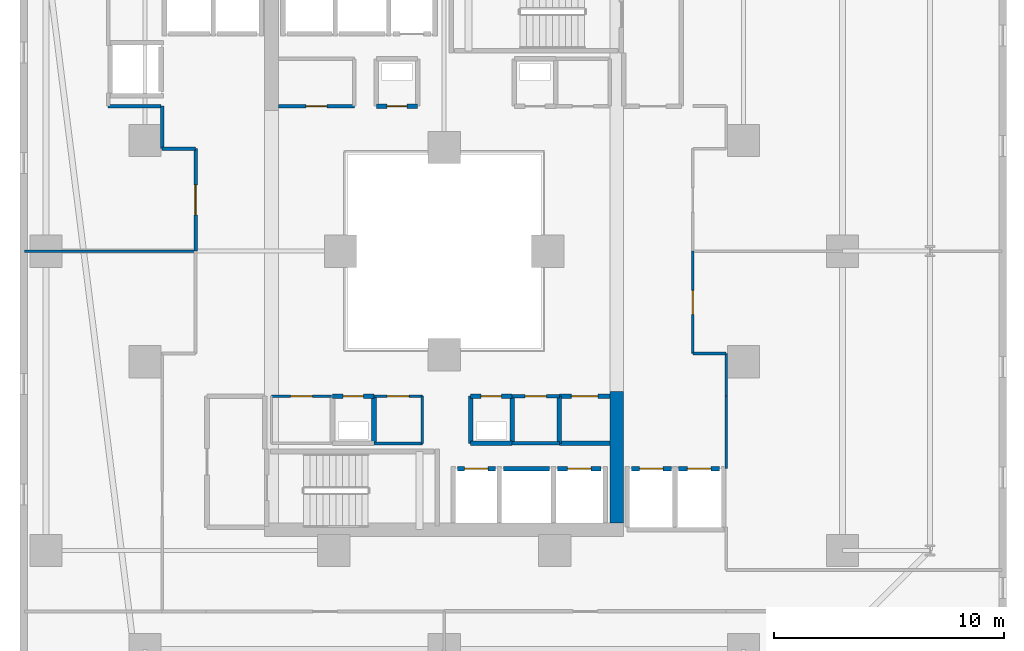
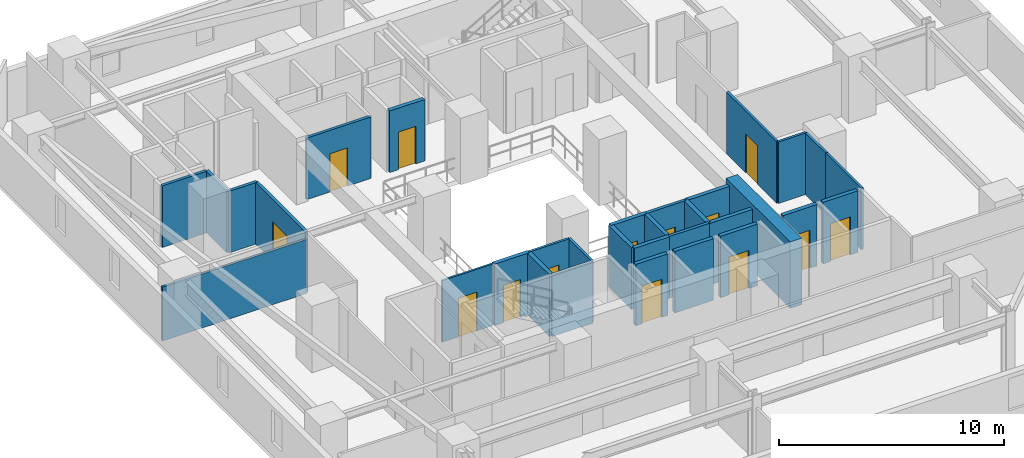
# One storey, part 21 of 34: 32 walls, 14 doors, 14 openings.
"""IFC4 building model written with IfcOpenShell, lengths in metres."""

from ifc_helpers import new_model, si_unit, direction, frame, frame_2d, origin, place, context, subcontext, project, spatial, rectangle, extrude, material, layer, layer_set, type_object, element, fill, save


model = new_model("IFC4")

# Units and contexts
model_context = context("Model", 3, precision=1e-05, world=origin(), true_north=direction((0.0, 1.0)))
body_context = subcontext(model_context, "Body", "Model", "MODEL_VIEW")
ifc_project = project(units=[si_unit("LENGTHUNIT", "METRE"), si_unit("AREAUNIT", "SQUARE_METRE"), si_unit("VOLUMEUNIT", "CUBIC_METRE"), si_unit("PLANEANGLEUNIT", "RADIAN"), si_unit("MASSUNIT", "GRAM", prefix="KILO")], contexts=[model_context])

# Site, building, storey
site_placement = place(None, origin())
site = spatial("IfcSite", under=ifc_project, at=site_placement, CompositionType="ELEMENT")
building_placement = place(site_placement, origin())
building = spatial("IfcBuilding", under=site, at=building_placement, Name="Thornwick Lancets Civic Towers", CompositionType="ELEMENT")
storey_placement = place(building_placement, frame((0.0, 0.0, 57.300048828125)))
storey = spatial("IfcBuildingStorey", under=building, at=storey_placement, Name="L14", CompositionType="ELEMENT", Elevation=57.300048828125)

# Wall, opening, door
ifc_material_1 = material(Name="Concrete blockwork C40/50", Category="masonry")
ifc_layer_1 = layer(ifc_material_1, 0.199951171875, Name="Concrete blockwork C40/50")
ifc_layer_set_1 = layer_set([ifc_layer_1], Name="Concrete blockwork C40/50")
wall_type_1 = type_object("IfcWallType", Name="WALL_COMP_200", PredefinedType="STANDARD", material=ifc_layer_set_1)
wall_1_placement = place(storey_placement, frame((26.080078125, 17.550048828125, 0.0), z_axis=(0.0, 0.0, 1.0), x_axis=(1.0, 0.0, 0.0)))
wall_1 = element("IfcWall", 1, at=wall_1_placement, inside=storey, type_object=wall_type_1, Name="L14 Hoistway Front Wall FL-A1", PredefinedType="STANDARD", context=body_context, shape_type="SweptSolid", body=[
    extrude(rectangle(XDim=1.639892578125, YDim=0.199951171875, at=frame_2d((0.81982421875, 0.0))), origin(), (0.0, 0.0, 1.0), 3.33984375),
])
opening_1_placement = place(wall_1_placement, frame((0.31005859375, 0.0, 0.0)))
opening_1 = element("IfcOpeningElement", 2, at=opening_1_placement, cuts=wall_1, Name="Opening LD-FL-A1", PredefinedType="OPENING", context=body_context, shape_type="SweptSolid", body=[
    extrude(rectangle(XDim=1.02001953125, YDim=2.06005859375, at=frame_2d((0.510009765625, 1.030029296875))), frame((0.0, 0.10986328125, 0.0), z_axis=(0.0, -1.0, 0.0), x_axis=(1.0, 0.0, 0.0)), (0.0, 0.0, 1.0), 0.219970703125),
])
ifc_material_2 = material(Name="Brushed bronze stainless steel", Category="steel")
door_type_1 = type_object("IfcDoorType", Name="DOOR_LIFT_SLIDE", OperationType="SLIDING_TO_LEFT", PredefinedType="DOOR", material=ifc_material_2)
door_1_placement = place(opening_1_placement, origin())
door_1 = element("IfcDoor", 3, at=door_1_placement, inside=storey, type_object=door_type_1, Name="L14 Sliding Lift Landing Door LD-FL-A1", OperationType="SLIDING_TO_LEFT", OverallHeight=2.06005859375, OverallWidth=1.02001953125, PredefinedType="DOOR", context=body_context, shape_type="SweptSolid", body=[
    extrude(rectangle(XDim=1.02001953125, YDim=2.06005859375, at=frame_2d((0.510009765625, 1.030029296875))), frame((0.0, 0.02490234375, 0.0), z_axis=(0.0, -1.0, 0.0), x_axis=(1.0, 0.0, 0.0)), (0.0, 0.0, 1.0), 0.050048828125),
])
fill(opening_1, door_1)

# Wall
wall_2_placement = place(storey_placement, frame((28.080078125, 17.550048828125, 0.0), z_axis=(0.0, 0.0, 1.0), x_axis=(1.0, 0.0, 0.0)))
element("IfcWall", 4, at=wall_2_placement, inside=storey, type_object=wall_type_1, Name="L14 Hoistway Front Wall PL-AH1", PredefinedType="STANDARD", context=body_context, shape_type="SweptSolid", body=[
    extrude(rectangle(XDim=1.989990234375, YDim=0.199951171875, at=frame_2d((0.9951171875, 0.0))), origin(), (0.0, 0.0, 1.0), 3.33984375),
])

# Wall, opening, door
wall_3_placement = place(storey_placement, frame((30.429931640625, 17.550048828125, 0.0), z_axis=(0.0, 0.0, 1.0), x_axis=(1.0, 0.0, 0.0)))
wall_3 = element("IfcWall", 5, at=wall_3_placement, inside=storey, type_object=wall_type_1, Name="L14 Hoistway Front Wall PL-AL1", PredefinedType="STANDARD", context=body_context, shape_type="SweptSolid", body=[
    extrude(rectangle(XDim=1.89013671875, YDim=0.199951171875, at=frame_2d((0.945068359375, 0.0))), origin(), (0.0, 0.0, 1.0), 3.33984375),
])
opening_2_placement = place(wall_3_placement, frame((0.43505859375, 0.0, 0.0)))
opening_2 = element("IfcOpeningElement", 6, at=opening_2_placement, cuts=wall_3, Name="Opening LD-PL-AL1", PredefinedType="OPENING", context=body_context, shape_type="SweptSolid", body=[
    extrude(rectangle(XDim=1.02001953125, YDim=2.06005859375, at=frame_2d((0.510009765625, 1.030029296875))), frame((0.0, 0.10986328125, 0.0), z_axis=(0.0, -1.0, 0.0), x_axis=(1.0, 0.0, 0.0)), (0.0, 0.0, 1.0), 0.219970703125),
])
door_2_placement = place(opening_2_placement, origin())
door_2 = element("IfcDoor", 7, at=door_2_placement, inside=storey, type_object=door_type_1, Name="L14 Sliding Lift Landing Door LD-PL-AL1", OperationType="SLIDING_TO_LEFT", OverallHeight=2.06005859375, OverallWidth=1.02001953125, PredefinedType="DOOR", context=body_context, shape_type="SweptSolid", body=[
    extrude(rectangle(XDim=1.02001953125, YDim=2.06005859375, at=frame_2d((0.510009765625, 1.030029296875))), frame((0.0, 0.02490234375, 0.0), z_axis=(0.0, -1.0, 0.0), x_axis=(1.0, 0.0, 0.0)), (0.0, 0.0, 1.0), 0.050048828125),
])
fill(opening_2, door_2)

wall_4_placement = place(storey_placement, frame((33.6298828125, 17.550048828125, 0.0), z_axis=(0.0, 0.0, 1.0), x_axis=(1.0, 0.0, 0.0)))
wall_4 = element("IfcWall", 8, at=wall_4_placement, inside=storey, type_object=wall_type_1, Name="L14 Hoistway Front Wall PL-AL2", PredefinedType="STANDARD", context=body_context, shape_type="SweptSolid", body=[
    extrude(rectangle(XDim=1.740234375, YDim=0.199951171875, at=frame_2d((0.8701171875, 0.0))), origin(), (0.0, 0.0, 1.0), 3.33984375),
])
opening_3_placement = place(wall_4_placement, frame((0.360107421875, 0.0, 0.0)))
opening_3 = element("IfcOpeningElement", 9, at=opening_3_placement, cuts=wall_4, Name="Opening LD-PL-AL2", PredefinedType="OPENING", context=body_context, shape_type="SweptSolid", body=[
    extrude(rectangle(XDim=1.02001953125, YDim=2.06005859375, at=frame_2d((0.510009765625, 1.030029296875))), frame((0.0, 0.10986328125, 0.0), z_axis=(0.0, -1.0, 0.0), x_axis=(1.0, 0.0, 0.0)), (0.0, 0.0, 1.0), 0.219970703125),
])
door_3_placement = place(opening_3_placement, origin())
door_3 = element("IfcDoor", 10, at=door_3_placement, inside=storey, type_object=door_type_1, Name="L14 Sliding Lift Landing Door LD-PL-AL2", OperationType="SLIDING_TO_LEFT", OverallHeight=2.06005859375, OverallWidth=1.02001953125, PredefinedType="DOOR", context=body_context, shape_type="SweptSolid", body=[
    extrude(rectangle(XDim=1.02001953125, YDim=2.06005859375, at=frame_2d((0.510009765625, 1.030029296875))), frame((0.0, 0.02490234375, 0.0), z_axis=(0.0, -1.0, 0.0), x_axis=(1.0, 0.0, 0.0)), (0.0, 0.0, 1.0), 0.050048828125),
])
fill(opening_3, door_3)

wall_5_placement = place(storey_placement, frame((35.679931640625, 17.550048828125, 0.0), z_axis=(0.0, 0.0, 1.0), x_axis=(1.0, 0.0, 0.0)))
wall_5 = element("IfcWall", 11, at=wall_5_placement, inside=storey, type_object=wall_type_1, Name="L14 Hoistway Front Wall PL-AL3", PredefinedType="STANDARD", context=body_context, shape_type="SweptSolid", body=[
    extrude(rectangle(XDim=1.7900390625, YDim=0.199951171875, at=frame_2d((0.89501953125, 0.0))), origin(), (0.0, 0.0, 1.0), 3.33984375),
])
opening_4_placement = place(wall_5_placement, frame((0.385009765625, 0.0, 0.0)))
opening_4 = element("IfcOpeningElement", 12, at=opening_4_placement, cuts=wall_5, Name="Opening LD-PL-AL3", PredefinedType="OPENING", context=body_context, shape_type="SweptSolid", body=[
    extrude(rectangle(XDim=1.02001953125, YDim=2.06005859375, at=frame_2d((0.510009765625, 1.030029296875))), frame((0.0, 0.10986328125, 0.0), z_axis=(0.0, -1.0, 0.0), x_axis=(1.0, 0.0, 0.0)), (0.0, 0.0, 1.0), 0.219970703125),
])
door_4_placement = place(opening_4_placement, origin())
door_4 = element("IfcDoor", 13, at=door_4_placement, inside=storey, type_object=door_type_1, Name="L14 Sliding Lift Landing Door LD-PL-AL3", OperationType="SLIDING_TO_LEFT", OverallHeight=2.06005859375, OverallWidth=1.02001953125, PredefinedType="DOOR", context=body_context, shape_type="SweptSolid", body=[
    extrude(rectangle(XDim=1.02001953125, YDim=2.06005859375, at=frame_2d((0.510009765625, 1.030029296875))), frame((0.0, 0.02490234375, 0.0), z_axis=(0.0, -1.0, 0.0), x_axis=(1.0, 0.0, 0.0)), (0.0, 0.0, 1.0), 0.050048828125),
])
fill(opening_4, door_4)

# Walls
wall_6_placement = place(storey_placement, frame((26.64990234375, 18.64990234375, 0.0), z_axis=(0.0, 0.0, 1.0), x_axis=(1.0, 0.0, 0.0)))
element("IfcWall", 14, at=wall_6_placement, inside=storey, type_object=wall_type_1, Name="L14 Partition L14-A-DUCT1 E1", PredefinedType="STANDARD", context=body_context, shape_type="SweptSolid", body=[
    extrude(rectangle(XDim=1.800048828125, YDim=0.199951171875, at=frame_2d((0.89990234375, 0.0))), origin(), (0.0, 0.0, 1.0), 3.33984375),
])
wall_7_placement = place(storey_placement, frame((28.449951171875, 18.64990234375, 0.0), z_axis=(0.0, 0.0, 1.0), x_axis=(0.0, 1.0, 0.0)))
element("IfcWall", 15, at=wall_7_placement, inside=storey, type_object=wall_type_1, Name="L14 Partition L14-A-DUCT1 E2", PredefinedType="STANDARD", context=body_context, shape_type="SweptSolid", body=[
    extrude(rectangle(XDim=2.050048828125, YDim=0.199951171875, at=frame_2d((1.02490234375, 0.0))), origin(), (0.0, 0.0, 1.0), 3.33984375),
])

# Wall, opening, door
wall_8_placement = place(storey_placement, frame((28.449951171875, 20.699951171875, 0.0), z_axis=(0.0, 0.0, 1.0), x_axis=(-1.0, 0.0, 0.0)))
wall_8 = element("IfcWall", 16, at=wall_8_placement, inside=storey, type_object=wall_type_1, Name="L14 Partition L14-A-DUCT1 E3", PredefinedType="STANDARD", context=body_context, shape_type="SweptSolid", body=[
    extrude(rectangle(XDim=1.800048828125, YDim=0.199951171875, at=frame_2d((0.89990234375, 0.0))), origin(), (0.0, 0.0, 1.0), 3.33984375),
])
opening_5_placement = place(wall_8_placement, frame((0.4599609375, 0.0, 0.0)))
opening_5 = element("IfcOpeningElement", 17, at=opening_5_placement, cuts=wall_8, Name="Opening D-L14-0665", PredefinedType="OPENING", context=body_context, shape_type="SweptSolid", body=[
    extrude(rectangle(XDim=0.8798828125, YDim=2.0400390625, at=frame_2d((0.43994140625, 1.02001953125))), frame((0.0, 0.10986328125, 0.0), z_axis=(0.0, -1.0, 0.0), x_axis=(1.0, 0.0, 0.0)), (0.0, 0.0, 1.0), 0.219970703125),
])
ifc_material_3 = material(Name="Steel riser access doorset", Category="steel")
door_type_2 = type_object("IfcDoorType", Name="DOOR_RISER_850", OperationType="NOTDEFINED", PredefinedType="DOOR", material=ifc_material_3)
door_5_placement = place(opening_5_placement, origin())
door_5 = element("IfcDoor", 18, at=door_5_placement, inside=storey, type_object=door_type_2, Name="L14 South Service Duct 1 Door", OperationType="SINGLE_SWING_RIGHT", OverallHeight=2.0400390625, OverallWidth=0.8798828125, PredefinedType="DOOR", context=body_context, shape_type="SweptSolid", body=[
    extrude(rectangle(XDim=0.8798828125, YDim=2.0400390625, at=frame_2d((0.43994140625, 1.02001953125))), frame((0.0, 0.02490234375, 0.0), z_axis=(0.0, -1.0, 0.0), x_axis=(1.0, 0.0, 0.0)), (0.0, 0.0, 1.0), 0.050048828125),
])
fill(opening_5, door_5)

# Walls
for number, where, z_axis, x_axis, name in (
    (19, (26.64990234375, 20.699951171875, 0.0), (0.0, 0.0, 1.0), (0.0, -1.0, 0.0), "L14 Partition L14-A-DUCT1 E4"),
    (20, (22.449951171875, 18.64990234375, 0.0), (0.0, 0.0, 1.0), (0.0, 1.0, 0.0), "L14 Partition L14-A-RISER1 E2"),
):
    element("IfcWall", number, at=place(storey_placement, frame(where, z_axis=z_axis, x_axis=x_axis)), inside=storey, type_object=wall_type_1, Name=name, PredefinedType="STANDARD", context=body_context, shape_type="SweptSolid", body=[
        extrude(rectangle(XDim=2.050048828125, YDim=0.199951171875, at=frame_2d((1.02490234375, 0.0))), origin(), (0.0, 0.0, 1.0), 3.33984375),
    ])

# Wall, opening, door
wall_9_placement = place(storey_placement, frame((22.449951171875, 20.699951171875, 0.0), z_axis=(0.0, 0.0, 1.0), x_axis=(-1.0, 0.0, 0.0)))
wall_9 = element("IfcWall", 21, at=wall_9_placement, inside=storey, type_object=wall_type_1, Name="L14 Partition L14-A-RISER1 E3", PredefinedType="STANDARD", context=body_context, shape_type="SweptSolid", body=[
    extrude(rectangle(XDim=1.800048828125, YDim=0.199951171875, at=frame_2d((0.89990234375, 0.0))), origin(), (0.0, 0.0, 1.0), 3.33984375),
])
opening_6_placement = place(wall_9_placement, frame((0.4599609375, 0.0, 0.0)))
opening_6 = element("IfcOpeningElement", 22, at=opening_6_placement, cuts=wall_9, Name="Opening D-L14-0666", PredefinedType="OPENING", context=body_context, shape_type="SweptSolid", body=[
    extrude(rectangle(XDim=0.8798828125, YDim=2.0400390625, at=frame_2d((0.43994140625, 1.02001953125))), frame((0.0, 0.10986328125, 0.0), z_axis=(0.0, -1.0, 0.0), x_axis=(1.0, 0.0, 0.0)), (0.0, 0.0, 1.0), 0.219970703125),
])
door_6_placement = place(opening_6_placement, origin())
door_6 = element("IfcDoor", 23, at=door_6_placement, inside=storey, type_object=door_type_2, Name="L14 South Electrical Riser 1 Door", OperationType="SINGLE_SWING_LEFT", OverallHeight=2.0400390625, OverallWidth=0.8798828125, PredefinedType="DOOR", context=body_context, shape_type="SweptSolid", body=[
    extrude(rectangle(XDim=0.8798828125, YDim=2.0400390625, at=frame_2d((0.43994140625, 1.02001953125))), frame((0.0, 0.02490234375, 0.0), z_axis=(0.0, -1.0, 0.0), x_axis=(1.0, 0.0, 0.0)), (0.0, 0.0, 1.0), 0.050048828125),
])
fill(opening_6, door_6)

wall_10_placement = place(storey_placement, frame((22.550048828125, 33.300048828125, 0.0), z_axis=(0.0, 0.0, 1.0), x_axis=(1.0, 0.0, 0.0)))
wall_10 = element("IfcWall", 24, at=wall_10_placement, inside=storey, type_object=wall_type_1, Name="L14 Partition L14-A-DUCT2 E1", PredefinedType="STANDARD", context=body_context, shape_type="SweptSolid", body=[
    extrude(rectangle(XDim=1.800048828125, YDim=0.199951171875, at=frame_2d((0.89990234375, 0.0))), origin(), (0.0, 0.0, 1.0), 3.33984375),
])
opening_7_placement = place(wall_10_placement, frame((0.4599609375, 0.0, 0.0)))
opening_7 = element("IfcOpeningElement", 25, at=opening_7_placement, cuts=wall_10, Name="Opening D-L14-0667", PredefinedType="OPENING", context=body_context, shape_type="SweptSolid", body=[
    extrude(rectangle(XDim=0.8798828125, YDim=2.0400390625, at=frame_2d((0.43994140625, 1.02001953125))), frame((0.0, 0.10986328125, 0.0), z_axis=(0.0, -1.0, 0.0), x_axis=(1.0, 0.0, 0.0)), (0.0, 0.0, 1.0), 0.219970703125),
])
door_7_placement = place(opening_7_placement, origin())
door_7 = element("IfcDoor", 26, at=door_7_placement, inside=storey, type_object=door_type_2, Name="L14 North Service Duct 2 Door", OperationType="SINGLE_SWING_RIGHT", OverallHeight=2.0400390625, OverallWidth=0.8798828125, PredefinedType="DOOR", context=body_context, shape_type="SweptSolid", body=[
    extrude(rectangle(XDim=0.8798828125, YDim=2.0400390625, at=frame_2d((0.43994140625, 1.02001953125))), frame((0.0, 0.02490234375, 0.0), z_axis=(0.0, -1.0, 0.0), x_axis=(1.0, 0.0, 0.0)), (0.0, 0.0, 1.0), 0.050048828125),
])
fill(opening_7, door_7)

# Walls
wall_11_placement = place(storey_placement, frame((32.699951171875, 18.64990234375, 0.0), z_axis=(0.0, 0.0, 1.0), x_axis=(-1.0, 0.0, 0.0)))
element("IfcWall", 27, at=wall_11_placement, inside=storey, type_object=wall_type_1, Name="L14 Partition L14-A-STR2 E2", PredefinedType="STANDARD", context=body_context, shape_type="SweptSolid", body=[
    extrude(rectangle(XDim=2.199951171875, YDim=0.199951171875, at=frame_2d((1.10009765625, 0.0))), origin(), (0.0, 0.0, 1.0), 3.33984375),
])
wall_12_placement = place(storey_placement, frame((30.5, 18.64990234375, 0.0), z_axis=(0.0, 0.0, 1.0), x_axis=(0.0, 1.0, 0.0)))
element("IfcWall", 28, at=wall_12_placement, inside=storey, type_object=wall_type_1, Name="L14 Partition L14-A-STR2 E3", PredefinedType="STANDARD", context=body_context, shape_type="SweptSolid", body=[
    extrude(rectangle(XDim=2.050048828125, YDim=0.199951171875, at=frame_2d((1.02490234375, 0.0))), origin(), (0.0, 0.0, 1.0), 3.33984375),
])

# Wall, opening, door
wall_13_placement = place(storey_placement, frame((30.5, 20.699951171875, 0.0), z_axis=(0.0, 0.0, 1.0), x_axis=(1.0, 0.0, 0.0)))
wall_13 = element("IfcWall", 29, at=wall_13_placement, inside=storey, type_object=wall_type_1, Name="L14 Partition L14-A-STR2 E4", PredefinedType="STANDARD", context=body_context, shape_type="SweptSolid", body=[
    extrude(rectangle(XDim=2.199951171875, YDim=0.199951171875, at=frame_2d((1.10009765625, 0.0))), origin(), (0.0, 0.0, 1.0), 3.33984375),
])
opening_8_placement = place(wall_13_placement, frame((0.52490234375, 0.0, 0.0)))
opening_8 = element("IfcOpeningElement", 30, at=opening_8_placement, cuts=wall_13, Name="Opening D-L14-0672", PredefinedType="OPENING", context=body_context, shape_type="SweptSolid", body=[
    extrude(rectangle(XDim=1.14990234375, YDim=2.10009765625, at=frame_2d((0.574951171875, 1.050048828125))), frame((0.0, 0.10986328125, 0.0), z_axis=(0.0, -1.0, 0.0), x_axis=(1.0, 0.0, 0.0)), (0.0, 0.0, 1.0), 0.219970703125),
])
ifc_material_4 = material(Name="Glazed fire-resisting steel", Category="steel")
door_type_3 = type_object("IfcDoorType", Name="DOOR_LOBBY_FD60", OperationType="NOTDEFINED", PredefinedType="DOOR", material=ifc_material_4)
door_8_placement = place(opening_8_placement, origin())
door_8 = element("IfcDoor", 31, at=door_8_placement, inside=storey, type_object=door_type_3, Name="L14 Tower A Core Supplies Store Door", OperationType="SINGLE_SWING_LEFT", OverallHeight=2.10009765625, OverallWidth=1.14990234375, PredefinedType="DOOR", context=body_context, shape_type="SweptSolid", body=[
    extrude(rectangle(XDim=1.14990234375, YDim=2.10009765625, at=frame_2d((0.574951171875, 1.050048828125))), frame((0.0, 0.02490234375, 0.0), z_axis=(0.0, -1.0, 0.0), x_axis=(1.0, 0.0, 0.0)), (0.0, 0.0, 1.0), 0.050048828125),
])
fill(opening_8, door_8)

# Wall
ifc_material_5 = material(Name="Concrete C60/75", Category="concrete")
ifc_layer_2 = layer(ifc_material_5, 0.60009765625, Name="Concrete C60/75")
ifc_layer_set_2 = layer_set([ifc_layer_2], Name="Concrete C60/75")
wall_type_2 = type_object("IfcWallType", Name="WALL_CORE_600", PredefinedType="SHEAR", material=ifc_layer_set_2)
wall_14_placement = place(storey_placement, frame((33.0, 15.199951171875, 0.0), z_axis=(0.0, 0.0, 1.0), x_axis=(0.0, 1.0, 0.0)))
element("IfcWall", 32, at=wall_14_placement, inside=storey, type_object=wall_type_2, Name="L14 Split Core A1 Shear Wall E", PredefinedType="SHEAR", context=body_context, shape_type="SweptSolid", body=[
    extrude(rectangle(XDim=5.699951171875, YDim=0.60009765625, at=frame_2d((2.85009765625, 0.0))), origin(), (0.0, 0.0, 1.0), 3.599853515625),
])

# Wall, opening, door
ifc_material_6 = material(Name="Lightweight cellular office partition")
ifc_layer_3 = layer(ifc_material_6, 0.10009765625, Name="Lightweight cellular office partition")
ifc_layer_set_3 = layer_set([ifc_layer_3], Name="Lightweight cellular office partition")
wall_type_3 = type_object("IfcWallType", Name="WALL_PART_100", PredefinedType="PARTITIONING", material=ifc_layer_set_3)
wall_15_placement = place(storey_placement, frame((20.60009765625, 20.699951171875, 0.0), z_axis=(0.0, 0.0, 1.0), x_axis=(-1.0, 0.0, 0.0)))
wall_15 = element("IfcWall", 33, at=wall_15_placement, inside=storey, type_object=wall_type_3, Name="L14 Partition L14-A-CLN E3", PredefinedType="PARTITIONING", context=body_context, shape_type="SweptSolid", body=[
    extrude(rectangle(XDim=2.60009765625, YDim=0.10009765625, at=frame_2d((1.300048828125, 0.0))), origin(), (0.0, 0.0, 1.0), 3.33984375),
])
opening_9_placement = place(wall_15_placement, frame((0.824951171875, 0.0, 0.0)))
opening_9 = element("IfcOpeningElement", 34, at=opening_9_placement, cuts=wall_15, Name="Opening D-L14-0669", PredefinedType="OPENING", context=body_context, shape_type="SweptSolid", body=[
    extrude(rectangle(XDim=0.949951171875, YDim=2.10009765625, at=frame_2d((0.47509765625, 1.050048828125))), frame((0.0, 0.06005859375, 0.0), z_axis=(0.0, -1.0, 0.0), x_axis=(1.0, 0.0, 0.0)), (0.0, 0.0, 1.0), 0.1201171875),
])
ifc_material_7 = material(Name="European oak acoustic doorset")
door_type_4 = type_object("IfcDoorType", Name="DOOR_OFFICE_950", OperationType="NOTDEFINED", PredefinedType="DOOR", material=ifc_material_7)
door_9_placement = place(opening_9_placement, origin())
door_9 = element("IfcDoor", 35, at=door_9_placement, inside=storey, type_object=door_type_4, Name="L14 Tower A Cleaners Store Door", OperationType="SINGLE_SWING_RIGHT", OverallHeight=2.10009765625, OverallWidth=0.949951171875, PredefinedType="DOOR", context=body_context, shape_type="SweptSolid", body=[
    extrude(rectangle(XDim=0.949951171875, YDim=2.10009765625, at=frame_2d((0.47509765625, 1.050048828125))), frame((0.0, 0.02490234375, 0.0), z_axis=(0.0, -1.0, 0.0), x_axis=(1.0, 0.0, 0.0)), (0.0, 0.0, 1.0), 0.050048828125),
])
fill(opening_9, door_9)

# Walls
ifc_material_8 = material(Name="Acoustic gypsum board partition")
ifc_layer_4 = layer(ifc_material_8, 0.1201171875, Name="Acoustic gypsum board partition")
ifc_layer_set_4 = layer_set([ifc_layer_4], Name="Acoustic gypsum board partition")
wall_type_4 = type_object("IfcWallType", Name="WALL_PART_120", PredefinedType="PARTITIONING", material=ifc_layer_set_4)
wall_16_placement = place(storey_placement, frame((24.550048828125, 20.699951171875, 0.0), z_axis=(0.0, 0.0, 1.0), x_axis=(0.0, -1.0, 0.0)))
element("IfcWall", 36, at=wall_16_placement, inside=storey, type_object=wall_type_4, Name="L14 Partition L14-A-ITR E1", PredefinedType="PARTITIONING", context=body_context, shape_type="SweptSolid", body=[
    extrude(rectangle(XDim=2.050048828125, YDim=0.1201171875, at=frame_2d((1.02490234375, 0.0))), origin(), (0.0, 0.0, 1.0), 3.33984375),
])
wall_17_placement = place(storey_placement, frame((24.550048828125, 18.64990234375, 0.0), z_axis=(0.0, 0.0, 1.0), x_axis=(-1.0, 0.0, 0.0)))
element("IfcWall", 37, at=wall_17_placement, inside=storey, type_object=wall_type_4, Name="L14 Partition L14-A-ITR E2", PredefinedType="PARTITIONING", context=body_context, shape_type="SweptSolid", body=[
    extrude(rectangle(XDim=2.10009765625, YDim=0.1201171875, at=frame_2d((1.050048828125, 0.0))), origin(), (0.0, 0.0, 1.0), 3.33984375),
])

# Wall, opening, door
wall_18_placement = place(storey_placement, frame((22.449951171875, 20.699951171875, 0.0), z_axis=(0.0, 0.0, 1.0), x_axis=(1.0, 0.0, 0.0)))
wall_18 = element("IfcWall", 38, at=wall_18_placement, inside=storey, type_object=wall_type_4, Name="L14 Partition L14-A-ITR E4", PredefinedType="PARTITIONING", context=body_context, shape_type="SweptSolid", body=[
    extrude(rectangle(XDim=2.10009765625, YDim=0.1201171875, at=frame_2d((1.050048828125, 0.0))), origin(), (0.0, 0.0, 1.0), 3.33984375),
])
opening_10_placement = place(wall_18_placement, frame((0.574951171875, 0.0, 0.0)))
opening_10 = element("IfcOpeningElement", 39, at=opening_10_placement, cuts=wall_18, Name="Opening D-L14-0670", PredefinedType="OPENING", context=body_context, shape_type="SweptSolid", body=[
    extrude(rectangle(XDim=0.949951171875, YDim=2.10009765625, at=frame_2d((0.47509765625, 1.050048828125))), frame((0.0, 0.070068359375, 0.0), z_axis=(0.0, -1.0, 0.0), x_axis=(1.0, 0.0, 0.0)), (0.0, 0.0, 1.0), 0.14013671875),
])
door_10_placement = place(opening_10_placement, origin())
door_10 = element("IfcDoor", 40, at=door_10_placement, inside=storey, type_object=door_type_4, Name="L14 Tower A Comms Patch Room Door", OperationType="SINGLE_SWING_LEFT", OverallHeight=2.10009765625, OverallWidth=0.949951171875, PredefinedType="DOOR", context=body_context, shape_type="SweptSolid", body=[
    extrude(rectangle(XDim=0.949951171875, YDim=2.10009765625, at=frame_2d((0.47509765625, 1.050048828125))), frame((0.0, 0.02490234375, 0.0), z_axis=(0.0, -1.0, 0.0), x_axis=(1.0, 0.0, 0.0)), (0.0, 0.0, 1.0), 0.050048828125),
])
fill(opening_10, door_10)

# Walls
wall_19_placement = place(storey_placement, frame((7.280029296875, 27.0, 0.0), z_axis=(0.0, 0.0, 1.0), x_axis=(1.0, 0.0, 0.0)))
element("IfcWall", 41, at=wall_19_placement, inside=storey, type_object=wall_type_4, Name="L14 Partition L14-A-W1 E7", PredefinedType="PARTITIONING", context=body_context, shape_type="SweptSolid", body=[
    extrude(rectangle(XDim=7.419921875, YDim=0.1201171875, at=frame_2d((3.7099609375, 0.0))), origin(), (0.0, 0.0, 1.0), 2.93212890625),
])
wall_20_placement = place(storey_placement, frame((37.75, 17.550048828125, 0.0), z_axis=(0.0, 0.0, 1.0), x_axis=(0.0, 1.0, 0.0)))
element("IfcWall", 42, at=wall_20_placement, inside=storey, type_object=wall_type_4, Name="L14 Partition L14-A-E1 E1", PredefinedType="PARTITIONING", context=body_context, shape_type="SweptSolid", body=[
    extrude(rectangle(XDim=3.14990234375, YDim=0.1201171875, at=frame_2d((1.574951171875, 0.0))), origin(), (0.0, 0.0, 1.0), 3.33984375),
])
wall_21_placement = place(storey_placement, frame((37.75, 20.699951171875, 0.0), z_axis=(0.0, 0.0, 1.0), x_axis=(0.0, 1.0, 0.0)))
element("IfcWall", 43, at=wall_21_placement, inside=storey, type_object=wall_type_4, Name="L14 Partition L14-A-E1 E2", PredefinedType="PARTITIONING", context=body_context, shape_type="SweptSolid", body=[
    extrude(rectangle(XDim=1.85009765625, YDim=0.1201171875, at=frame_2d((0.925048828125, 0.0))), origin(), (0.0, 0.0, 1.0), 3.33984375),
])
wall_22_placement = place(storey_placement, frame((37.75, 22.550048828125, 0.0), z_axis=(0.0, 0.0, 1.0), x_axis=(-1.0, 0.0, 0.0)))
element("IfcWall", 44, at=wall_22_placement, inside=storey, type_object=wall_type_4, Name="L14 Partition L14-A-E1 E3", PredefinedType="PARTITIONING", context=body_context, shape_type="SweptSolid", body=[
    extrude(rectangle(XDim=1.449951171875, YDim=0.1201171875, at=frame_2d((0.72509765625, 0.0))), origin(), (0.0, 0.0, 1.0), 3.33984375),
])

# Wall, opening, door
wall_23_placement = place(storey_placement, frame((36.300048828125, 22.550048828125, 0.0), z_axis=(0.0, 0.0, 1.0), x_axis=(0.0, 1.0, 0.0)))
wall_23 = element("IfcWall", 45, at=wall_23_placement, inside=storey, type_object=wall_type_4, Name="L14 Partition L14-A-E1 E4", PredefinedType="PARTITIONING", context=body_context, shape_type="SweptSolid", body=[
    extrude(rectangle(XDim=4.449951171875, YDim=0.1201171875, at=frame_2d((2.22509765625, 0.0))), origin(), (0.0, 0.0, 1.0), 3.33984375),
])
opening_11_placement = place(wall_23_placement, frame((1.699951171875, 0.0, 0.0)))
opening_11 = element("IfcOpeningElement", 46, at=opening_11_placement, cuts=wall_23, Name="Opening D-L14-0689", PredefinedType="OPENING", context=body_context, shape_type="SweptSolid", body=[
    extrude(rectangle(XDim=1.050048828125, YDim=2.10009765625, at=frame_2d((0.52490234375, 1.050048828125))), frame((0.0, 0.070068359375, 0.0), z_axis=(0.0, -1.0, 0.0), x_axis=(1.0, 0.0, 0.0)), (0.0, 0.0, 1.0), 0.14013671875),
])
ifc_material_9 = material(Name="Glazed European oak executive doorset")
door_type_5 = type_object("IfcDoorType", Name="DOOR_OFFICE_1050", OperationType="NOTDEFINED", PredefinedType="DOOR", material=ifc_material_9)
door_11_placement = place(opening_11_placement, origin())
door_11 = element("IfcDoor", 47, at=door_11_placement, inside=storey, type_object=door_type_5, Name="L14 Tower A Secretariat Open Office E1 Door", OperationType="SINGLE_SWING_RIGHT", OverallHeight=2.10009765625, OverallWidth=1.050048828125, PredefinedType="DOOR", context=body_context, shape_type="SweptSolid", body=[
    extrude(rectangle(XDim=1.050048828125, YDim=2.10009765625, at=frame_2d((0.52490234375, 1.050048828125))), frame((0.0, 0.02490234375, 0.0), z_axis=(0.0, -1.0, 0.0), x_axis=(1.0, 0.0, 0.0)), (0.0, 0.0, 1.0), 0.050048828125),
])
fill(opening_11, door_11)

# Wall
ifc_material_10 = material(Name="Twin-stud acoustic gypsum board")
ifc_layer_5 = layer(ifc_material_10, 0.14990234375, Name="Twin-stud acoustic gypsum board")
ifc_layer_set_5 = layer_set([ifc_layer_5], Name="Twin-stud acoustic gypsum board")
wall_type_5 = type_object("IfcWallType", Name="WALL_PART_150", PredefinedType="PARTITIONING", material=ifc_layer_set_5)
wall_24_placement = place(storey_placement, frame((30.5, 18.64990234375, 0.0), z_axis=(0.0, 0.0, 1.0), x_axis=(-1.0, 0.0, 0.0)))
element("IfcWall", 48, at=wall_24_placement, inside=storey, type_object=wall_type_5, Name="L14 Partition L14-A-AWC E2", PredefinedType="PARTITIONING", context=body_context, shape_type="SweptSolid", body=[
    extrude(rectangle(XDim=2.050048828125, YDim=0.14990234375, at=frame_2d((1.02490234375, 0.0))), origin(), (0.0, 0.0, 1.0), 3.33984375),
])

# Wall, opening, door
wall_25_placement = place(storey_placement, frame((28.449951171875, 20.699951171875, 0.0), z_axis=(0.0, 0.0, 1.0), x_axis=(1.0, 0.0, 0.0)))
wall_25 = element("IfcWall", 49, at=wall_25_placement, inside=storey, type_object=wall_type_5, Name="L14 Partition L14-A-AWC E4", PredefinedType="PARTITIONING", context=body_context, shape_type="SweptSolid", body=[
    extrude(rectangle(XDim=2.050048828125, YDim=0.14990234375, at=frame_2d((1.02490234375, 0.0))), origin(), (0.0, 0.0, 1.0), 3.33984375),
])
opening_12_placement = place(wall_25_placement, frame((0.56494140625, 0.0, 0.0)))
opening_12 = element("IfcOpeningElement", 50, at=opening_12_placement, cuts=wall_25, Name="Opening D-L14-0671", PredefinedType="OPENING", context=body_context, shape_type="SweptSolid", body=[
    extrude(rectangle(XDim=0.919921875, YDim=2.080078125, at=frame_2d((0.4599609375, 1.0400390625))), frame((0.0, 0.0849609375, 0.0), z_axis=(0.0, -1.0, 0.0), x_axis=(1.0, 0.0, 0.0)), (0.0, 0.0, 1.0), 0.169921875),
])
ifc_material_11 = material(Name="Moisture-resistant oak doorset")
door_type_6 = type_object("IfcDoorType", Name="DOOR_WC_900", OperationType="NOTDEFINED", PredefinedType="DOOR", material=ifc_material_11)
door_12_placement = place(opening_12_placement, origin())
door_12 = element("IfcDoor", 51, at=door_12_placement, inside=storey, type_object=door_type_6, Name="L14 Tower A Accessible WC Door", OperationType="SINGLE_SWING_RIGHT", OverallHeight=2.080078125, OverallWidth=0.919921875, PredefinedType="DOOR", context=body_context, shape_type="SweptSolid", body=[
    extrude(rectangle(XDim=0.919921875, YDim=2.080078125, at=frame_2d((0.4599609375, 1.0400390625))), frame((0.0, 0.02490234375, 0.0), z_axis=(0.0, -1.0, 0.0), x_axis=(1.0, 0.0, 0.0)), (0.0, 0.0, 1.0), 0.050048828125),
])
fill(opening_12, door_12)

wall_26_placement = place(storey_placement, frame((18.300048828125, 33.300048828125, 0.0), z_axis=(0.0, 0.0, 1.0), x_axis=(1.0, 0.0, 0.0)))
wall_26 = element("IfcWall", 52, at=wall_26_placement, inside=storey, type_object=wall_type_5, Name="L14 Partition L14-A-MWC E1", PredefinedType="PARTITIONING", context=body_context, shape_type="SweptSolid", body=[
    extrude(rectangle(XDim=3.300048828125, YDim=0.14990234375, at=frame_2d((1.64990234375, 0.0))), origin(), (0.0, 0.0, 1.0), 3.33984375),
])
opening_13_placement = place(wall_26_placement, frame((1.18994140625, 0.0, 0.0)))
opening_13 = element("IfcOpeningElement", 53, at=opening_13_placement, cuts=wall_26, Name="Opening D-L14-0673", PredefinedType="OPENING", context=body_context, shape_type="SweptSolid", body=[
    extrude(rectangle(XDim=0.919921875, YDim=2.080078125, at=frame_2d((0.4599609375, 1.0400390625))), frame((0.0, 0.0849609375, 0.0), z_axis=(0.0, -1.0, 0.0), x_axis=(1.0, 0.0, 0.0)), (0.0, 0.0, 1.0), 0.169921875),
])
door_13_placement = place(opening_13_placement, origin())
door_13 = element("IfcDoor", 54, at=door_13_placement, inside=storey, type_object=door_type_6, Name="L14 Tower A Male WC Door", OperationType="SINGLE_SWING_RIGHT", OverallHeight=2.080078125, OverallWidth=0.919921875, PredefinedType="DOOR", context=body_context, shape_type="SweptSolid", body=[
    extrude(rectangle(XDim=0.919921875, YDim=2.080078125, at=frame_2d((0.4599609375, 1.0400390625))), frame((0.0, 0.02490234375, 0.0), z_axis=(0.0, -1.0, 0.0), x_axis=(1.0, 0.0, 0.0)), (0.0, 0.0, 1.0), 0.050048828125),
])
fill(opening_13, door_13)

# Walls
wall_27_placement = place(storey_placement, frame((13.25, 33.300048828125, 0.0), z_axis=(0.0, 0.0, 1.0), x_axis=(0.0, -1.0, 0.0)))
element("IfcWall", 55, at=wall_27_placement, inside=storey, type_object=wall_type_5, Name="L14 Partition L14-A-W2 E2", PredefinedType="PARTITIONING", context=body_context, shape_type="SweptSolid", body=[
    extrude(rectangle(XDim=1.85009765625, YDim=0.14990234375, at=frame_2d((0.925048828125, 0.0))), origin(), (0.0, 0.0, 1.0), 3.33984375),
])
wall_28_placement = place(storey_placement, frame((13.25, 31.449951171875, 0.0), z_axis=(0.0, 0.0, 1.0), x_axis=(1.0, 0.0, 0.0)))
element("IfcWall", 56, at=wall_28_placement, inside=storey, type_object=wall_type_5, Name="L14 Partition L14-A-W2 E3", PredefinedType="PARTITIONING", context=body_context, shape_type="SweptSolid", body=[
    extrude(rectangle(XDim=1.449951171875, YDim=0.14990234375, at=frame_2d((0.72509765625, 0.0))), origin(), (0.0, 0.0, 1.0), 3.33984375),
])

# Wall, opening, door
wall_29_placement = place(storey_placement, frame((14.699951171875, 31.449951171875, 0.0), z_axis=(0.0, 0.0, 1.0), x_axis=(0.0, -1.0, 0.0)))
wall_29 = element("IfcWall", 57, at=wall_29_placement, inside=storey, type_object=wall_type_5, Name="L14 Partition L14-A-W2 E4", PredefinedType="PARTITIONING", context=body_context, shape_type="SweptSolid", body=[
    extrude(rectangle(XDim=4.449951171875, YDim=0.14990234375, at=frame_2d((2.22509765625, 0.0))), origin(), (0.0, 0.0, 1.0), 3.33984375),
])
opening_14_placement = place(wall_29_placement, frame((1.574951171875, 0.0, 0.0)))
opening_14 = element("IfcOpeningElement", 58, at=opening_14_placement, cuts=wall_29, Name="Opening D-L14-0688", PredefinedType="OPENING", context=body_context, shape_type="SweptSolid", body=[
    extrude(rectangle(XDim=1.300048828125, YDim=2.1201171875, at=frame_2d((0.64990234375, 1.06005859375))), frame((0.0, 0.0849609375, 0.0), z_axis=(0.0, -1.0, 0.0), x_axis=(1.0, 0.0, 0.0)), (0.0, 0.0, 1.0), 0.169921875),
])
ifc_material_12 = material(Name="Acoustic oak leaf-and-a-half doorset")
door_type_7 = type_object("IfcDoorType", Name="DOOR_MEET_1300", OperationType="DOUBLE_DOOR_SINGLE_SWING", PredefinedType="DOOR", material=ifc_material_12)
door_14_placement = place(opening_14_placement, origin())
door_14 = element("IfcDoor", 59, at=door_14_placement, inside=storey, type_object=door_type_7, Name="L14 Tower A Policy Briefing Room W2 Door", OperationType="DOUBLE_DOOR_SINGLE_SWING", OverallHeight=2.1201171875, OverallWidth=1.300048828125, PredefinedType="DOOR", context=body_context, shape_type="SweptSolid", body=[
    extrude(rectangle(XDim=1.300048828125, YDim=2.1201171875, at=frame_2d((0.64990234375, 1.06005859375))), frame((0.0, 0.02490234375, 0.0), z_axis=(0.0, -1.0, 0.0), x_axis=(1.0, 0.0, 0.0)), (0.0, 0.0, 1.0), 0.050048828125),
])
fill(opening_14, door_14)

# Wall
wall_30_placement = place(storey_placement, frame((10.89990234375, 33.300048828125, 0.0), z_axis=(0.0, 0.0, 1.0), x_axis=(1.0, 0.0, 0.0)))
element("IfcWall", 60, at=wall_30_placement, inside=storey, type_object=wall_type_5, Name="L14 Partition L14-A-W2 E10", PredefinedType="PARTITIONING", context=body_context, shape_type="SweptSolid", body=[
    extrude(rectangle(XDim=2.300048828125, YDim=0.14990234375, at=frame_2d((1.14990234375, 0.0))), origin(), (0.0, 0.0, 1.0), 3.33984375),
])

save(model, "model.ifc")
